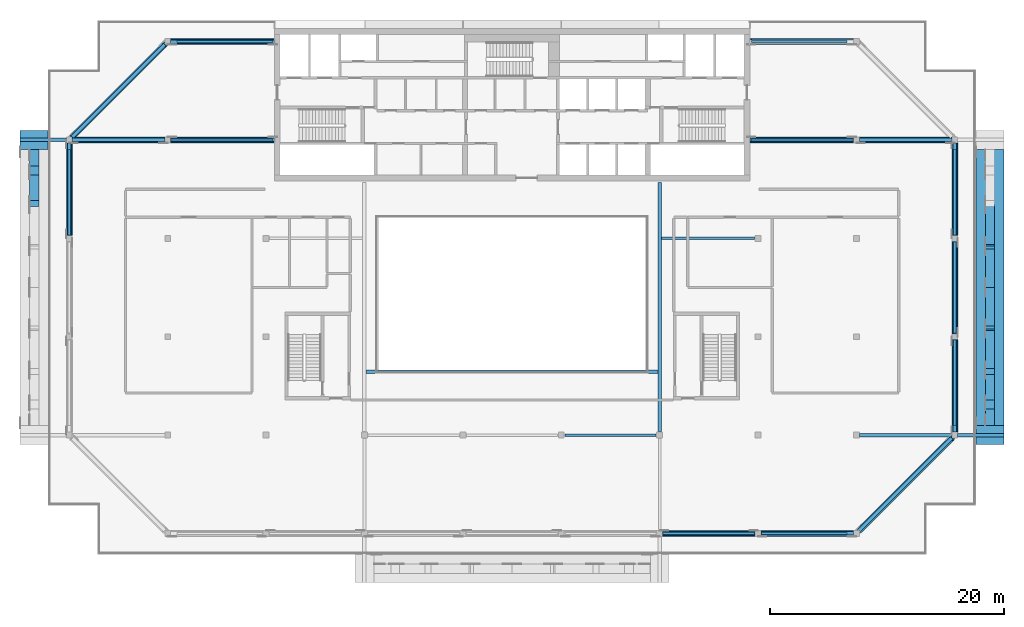
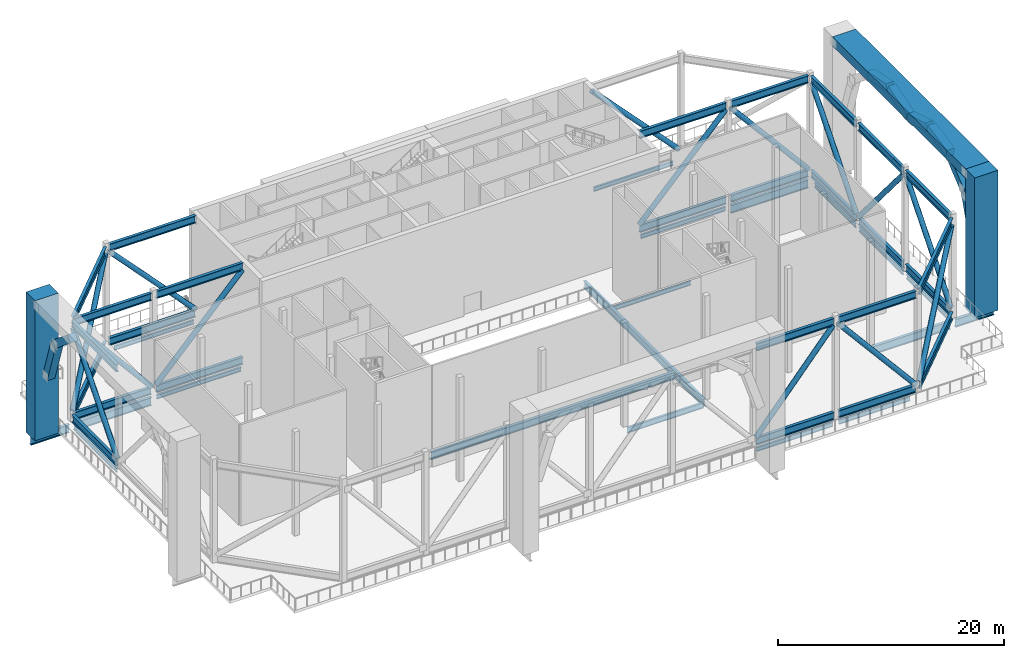
# One storey, part 2 of 20: 51 members, 19 beams.
"""IFC4 building model written with IfcOpenShell, lengths in metres."""

import ifcopenshell
import ifcopenshell.guid

model = None  # the IFC model being written
_history = None  # IfcOwnerHistory: only IFC2X3 demands one
_inside = {}  # id of a spatial element -> (the spatial element, [elements in it])
_under = {}  # id of a project, library or spatial element -> (it, [spatial elements below it])
_declared = {}  # id of a project -> (the project, [libraries it declares])
_typed = {}  # id of a type object -> (the type object, [elements of that type])
_made_of = {}  # id of a material, layer set ... -> (it, [elements and type objects made of it])


def new_model(schema):
    """Start an empty IFC model of exactly this schema.

    Asked for "IFC4X3", IfcOpenShell would pick the latest addendum, in which some entities
    have other attributes; the version numbers below select the first issue.
    IFC2X3 requires an IfcOwnerHistory on every rooted entity: one is made here for all.
    """
    global model, _history
    if schema == "IFC4X3":
        model = ifcopenshell.file(schema_version=(4, 3, 0, 0))
    else:
        model = ifcopenshell.file(schema=schema)
    _inside.clear()
    _under.clear()
    _declared.clear()
    _typed.clear()
    _made_of.clear()
    _history = None
    if model.schema == "IFC2X3":
        org = make("IfcOrganization", Name="unknown")
        user = make(
            "IfcPersonAndOrganization",
            ThePerson=make("IfcPerson", FamilyName="unknown"),
            TheOrganization=org,
        )
        app = make(
            "IfcApplication",
            ApplicationDeveloper=org,
            Version="unknown",
            ApplicationFullName="unknown",
            ApplicationIdentifier="unknown",
        )
        _history = make(
            "IfcOwnerHistory",
            OwningUser=user,
            OwningApplication=app,
            ChangeAction="ADDED",
            CreationDate=0,
        )
    return model


def make(cls, **values):
    """One entity of the class cls with the attributes given. An attribute that is None is left unset."""
    return model.create_entity(
        cls, **{name: value for name, value in values.items() if value is not None}
    )


def rooted(cls, **values):
    """An entity with a GlobalId (a new one), such as an element, a storey or a relation."""
    return make(cls, GlobalId=ifcopenshell.guid.new(), OwnerHistory=_history, **values)


def si_unit(unit_type, name, prefix=None):
    """IfcSIUnit, for example si_unit("LENGTHUNIT", "METRE", prefix="MILLI")."""
    return make("IfcSIUnit", UnitType=unit_type, Prefix=prefix, Name=name)


def assignment(units):
    """IfcUnitAssignment: the units of a project."""
    return None if units is None else make("IfcUnitAssignment", Units=units)


def point(xyz):
    """IfcCartesianPoint."""
    return None if xyz is None else make("IfcCartesianPoint", Coordinates=xyz)


def direction(xyz):
    """IfcDirection."""
    return None if xyz is None else make("IfcDirection", DirectionRatios=xyz)


def frame(location, z_axis=None, x_axis=None):
    """IfcAxis2Placement3D, a coordinate frame: its origin and axes. An axis left out is left unset."""
    return make(
        "IfcAxis2Placement3D",
        Location=point(location),
        Axis=direction(z_axis),
        RefDirection=direction(x_axis),
    )


def frame_2d(location, x_axis=None):
    """IfcAxis2Placement2D, a coordinate frame in the plane: its origin and x axis."""
    return make(
        "IfcAxis2Placement2D", Location=point(location), RefDirection=direction(x_axis)
    )


def origin():
    """The frame at (0, 0, 0) with its axes left unset."""
    return frame((0.0, 0.0, 0.0))


def origin_2d():
    """The frame at (0, 0) in the plane with its x axis left unset."""
    return frame_2d((0.0, 0.0))


def place(relative_to, where):
    """IfcLocalPlacement: puts the frame where relative to a parent placement (None: the world)."""
    return make(
        "IfcLocalPlacement", PlacementRelTo=relative_to, RelativePlacement=where
    )


def context(
    kind, dimensions, precision=None, world=None, true_north=None, identifier=None
):
    """IfcGeometricRepresentationContext, for example the 3D "Model" context."""
    return make(
        "IfcGeometricRepresentationContext",
        ContextIdentifier=identifier,
        ContextType=kind,
        CoordinateSpaceDimension=dimensions,
        Precision=precision,
        WorldCoordinateSystem=world,
        TrueNorth=true_north,
    )


def subcontext(parent, identifier, kind, view, scale=None):
    """IfcGeometricRepresentationSubContext, for example "Body" below "Model"."""
    return make(
        "IfcGeometricRepresentationSubContext",
        ContextIdentifier=identifier,
        ContextType=kind,
        ParentContext=parent,
        TargetScale=scale,
        TargetView=view,
    )


def project(units=None, contexts=None):
    """IfcProject with its units and contexts."""
    return rooted(
        "IfcProject",
        Name="project",
        RepresentationContexts=contexts,
        UnitsInContext=assignment(units),
    )


def spatial(cls, under=None, at=None, **own):
    """A site, building, storey or space (cls), placed at a placement, below another one or the project."""
    s = rooted(cls, ObjectPlacement=at, **own)
    if under is not None:
        _under.setdefault(under.id(), (under, []))[1].append(s)
    return s


def profile(cls, at=None, kind="AREA", **sizes):
    """A parametric profile (cls). Its sizes go by their IFC names, for example OverallWidth=200.0."""
    return make(cls, ProfileType=kind, Position=at, **sizes)


def rectangle(**sizes):
    """IfcRectangleProfileDef."""
    return profile("IfcRectangleProfileDef", **sizes)


def hollow_circle(**sizes):
    """IfcCircleHollowProfileDef."""
    return profile("IfcCircleHollowProfileDef", **sizes)


def i_section(**sizes):
    """IfcIShapeProfileDef."""
    return profile("IfcIShapeProfileDef", **sizes)


def extrude(swept, where, along, depth):
    """IfcExtrudedAreaSolid: the profile swept, set in the frame where, extruded along a direction by depth."""
    return make(
        "IfcExtrudedAreaSolid",
        SweptArea=swept,
        Position=where,
        ExtrudedDirection=direction(along),
        Depth=depth,
    )


def shape(context_of_items, identifier, shape_type, items):
    """IfcShapeRepresentation: the items that make up one representation, for example the "Body"."""
    return make(
        "IfcShapeRepresentation",
        ContextOfItems=context_of_items,
        RepresentationIdentifier=identifier,
        RepresentationType=shape_type,
        Items=items,
    )


def material(Name=None, Category=None):
    """IfcMaterial."""
    return make("IfcMaterial", Name=Name, Category=Category)


def material_profile(
    of_material, cross_section, Name=None, Category=None, Priority=None
):
    """IfcMaterialProfile: a cross section and its material."""
    return make(
        "IfcMaterialProfile",
        Name=Name,
        Material=of_material,
        Profile=cross_section,
        Priority=Priority,
        Category=Category,
    )


def profile_set(profiles, Name=None, composite=None):
    """IfcMaterialProfileSet."""
    return make(
        "IfcMaterialProfileSet",
        Name=Name,
        MaterialProfiles=profiles,
        CompositeProfile=composite,
    )


def made_of(thing, what):
    """Note that an element or type object is made of a material, layer set ...; save() writes the relation."""
    if what is not None:
        _made_of.setdefault(what.id(), (what, []))[1].append(thing)
    return thing


def type_object(cls, material=None, **own):
    """A type object (cls), such as IfcWallType, which elements share."""
    return made_of(rooted(cls, **own), material)


def element(
    cls,
    number,
    at=None,
    inside=None,
    cuts=None,
    type_object=None,
    material=None,
    context=None,
    identifier="Body",
    shape_type=None,
    held_by="IfcProductDefinitionShape",
    body=None,
    shapes=None,
    **own,
):
    """One element of the class cls, such as IfcWall. Its Tag is "e" and its number.

    at: its placement. inside: the storey or other place that contains it. cuts: it is an
    opening in that element (IfcRelVoidsElement). A single representation is given by context,
    identifier, shape_type and body (its items); several are given by shapes. held_by: the class
    of the entity that holds the representations. save() writes the other relations.
    """
    e = rooted(cls, Tag="e%d" % number, ObjectPlacement=at, **own)
    if body is not None:
        shapes = [shape(context, identifier, shape_type, body)]
    if shapes is not None:
        e.Representation = make(held_by, Representations=shapes)
    if inside is not None:
        _inside.setdefault(inside.id(), (inside, []))[1].append(e)
    if cuts is not None:
        rooted(
            "IfcRelVoidsElement", RelatingBuildingElement=cuts, RelatedOpeningElement=e
        )
    if type_object is not None:
        _typed.setdefault(type_object.id(), (type_object, []))[1].append(e)
    return made_of(e, material)


def aggregate(whole, parts):
    """IfcRelAggregates: a whole, such as a stair, and the parts it consists of."""
    return rooted("IfcRelAggregates", RelatingObject=whole, RelatedObjects=parts)


def save(model, path):
    """Write the relations noted so far, then the file.

    IfcRelAggregates (storeys below a building ...), IfcRelContainedInSpatialStructure (elements
    in a storey), IfcRelDefinesByType, IfcRelAssociatesMaterial and IfcRelDeclares: one each for
    every whole, place, type object, material and project.
    """
    for whole, parts in _under.values():
        aggregate(whole, parts)
    for where, things in _inside.values():
        rooted(
            "IfcRelContainedInSpatialStructure",
            RelatedElements=things,
            RelatingStructure=where,
        )
    for kind, things in _typed.values():
        rooted("IfcRelDefinesByType", RelatedObjects=things, RelatingType=kind)
    for what, things in _made_of.values():
        rooted("IfcRelAssociatesMaterial", RelatedObjects=things, RelatingMaterial=what)
    for by, libraries in _declared.values():
        rooted("IfcRelDeclares", RelatingContext=by, RelatedDefinitions=libraries)
    model.write(path)


model = new_model("IFC4")

# Units and contexts
model_context = context("Model", 3, precision=1e-05, world=origin(), true_north=direction((0.0, 1.0)))
body_context = subcontext(model_context, "Body", "Model", "MODEL_VIEW")
ifc_project = project(units=[si_unit("LENGTHUNIT", "METRE"), si_unit("AREAUNIT", "SQUARE_METRE"), si_unit("VOLUMEUNIT", "CUBIC_METRE"), si_unit("PLANEANGLEUNIT", "RADIAN"), si_unit("MASSUNIT", "GRAM", prefix="KILO")], contexts=[model_context])

# Site, building, storey
site_placement = place(None, origin())
site = spatial("IfcSite", under=ifc_project, at=site_placement, CompositionType="ELEMENT")
building_placement = place(site_placement, origin())
building = spatial("IfcBuilding", under=site, at=building_placement, Name="Saffron Gate Tower", CompositionType="ELEMENT")
storey_placement = place(building_placement, frame((0.0, 0.0, 252.300048828125)))
storey = spatial("IfcBuildingStorey", under=building, at=storey_placement, Name="L62", CompositionType="ELEMENT", Elevation=252.300048828125)

# Beams
ifc_material_1 = material(Name="Structural steel S355", Category="steel")
ifc_material_profile_1 = material_profile(ifc_material_1, i_section(OverallWidth=0.219970703125, OverallDepth=0.60009765625, WebThickness=0.011962890625, FlangeThickness=0.01904296875, FilletRadius=0.02392578125, at=origin_2d()))
ifc_profile_set_1 = profile_set([ifc_material_profile_1], Name="Structural steel S355")
beam_type_1 = type_object("IfcBeamType", Name="B15 IPE 600", PredefinedType="BEAM", material=ifc_profile_set_1)
beam_1_placement = place(storey_placement, frame((92.10009765625, 40.199951171875, -0.60009765625), z_axis=(1.0, 0.0, 0.0), x_axis=(0.0, 1.0, 0.0)))
element("IfcBeam", 1, at=beam_1_placement, inside=storey, type_object=beam_type_1, Name="B15 FLOOR GIRDER", PredefinedType="BEAM", context=body_context, shape_type="SweptSolid", body=[
    extrude(i_section(OverallWidth=0.219970703125, OverallDepth=0.60009765625, WebThickness=0.011962890625, FlangeThickness=0.01904296875, FilletRadius=0.02392578125, at=origin_2d()), origin(), (0.0, 0.0, 1.0), 7.7998046875),
])
ifc_material_profile_2 = material_profile(ifc_material_1, i_section(OverallWidth=0.300048828125, OverallDepth=0.7900390625, WebThickness=0.014892578125, FlangeThickness=0.028076171875, FilletRadius=0.030029296875, at=origin_2d()))
ifc_profile_set_2 = profile_set([ifc_material_profile_2], Name="Structural steel S355")
beam_type_2 = type_object("IfcBeamType", Name="B18 HEA 800", PredefinedType="BEAM", material=ifc_profile_set_2)
beam_2_placement = place(storey_placement, frame((100.199951171875, 40.5, -0.695068359375), z_axis=(0.0, 1.0, 0.0), x_axis=(-1.0, 0.0, 0.0)))
element("IfcBeam", 2, at=beam_2_placement, inside=storey, type_object=beam_type_2, Name="B18 ATRIUM GIRDER", PredefinedType="BEAM", context=body_context, shape_type="SweptSolid", body=[
    extrude(i_section(OverallWidth=0.300048828125, OverallDepth=0.7900390625, WebThickness=0.014892578125, FlangeThickness=0.028076171875, FilletRadius=0.030029296875, at=origin_2d()), origin(), (0.0, 0.0, 1.0), 21.25),
])
beam_3_placement = place(storey_placement, frame((75.14990234375, 45.60009765625, -0.695068359375), z_axis=(1.0, 0.0, 0.0), x_axis=(0.0, 1.0, 0.0)))
element("IfcBeam", 3, at=beam_3_placement, inside=storey, type_object=beam_type_2, Name="B18 ATRIUM GIRDER", PredefinedType="BEAM", context=body_context, shape_type="SweptSolid", body=[
    extrude(i_section(OverallWidth=0.300048828125, OverallDepth=0.7900390625, WebThickness=0.014892578125, FlangeThickness=0.028076171875, FilletRadius=0.030029296875, at=origin_2d()), origin(), (0.0, 0.0, 1.0), 24.900146484375),
])
ifc_material_profile_3 = material_profile(ifc_material_1, i_section(OverallWidth=0.18994140625, OverallDepth=0.449951171875, WebThickness=0.009521484375, FlangeThickness=0.0146484375, FilletRadius=0.02099609375, at=origin_2d()))
ifc_profile_set_3 = profile_set([ifc_material_profile_3], Name="Structural steel S355")
beam_type_3 = type_object("IfcBeamType", Name="B6 IPE 450", PredefinedType="BEAM", material=ifc_profile_set_3)
beam_4_placement = place(storey_placement, frame((108.300048828125, 57.0, -0.525146484375), z_axis=(-1.0, 0.0, 0.0), x_axis=(0.0, -1.0, 0.0)))
element("IfcBeam", 4, at=beam_4_placement, inside=storey, type_object=beam_type_3, Name="B6 CORE TIE BEAM", PredefinedType="BEAM", context=body_context, shape_type="SweptSolid", body=[
    extrude(i_section(OverallWidth=0.18994140625, OverallDepth=0.449951171875, WebThickness=0.009521484375, FlangeThickness=0.0146484375, FilletRadius=0.02099609375, at=origin_2d()), origin(), (0.0, 0.0, 1.0), 7.949951171875),
])
beam_5_placement = place(storey_placement, frame((58.5, 65.39990234375, -0.525146484375), z_axis=(1.0, 0.0, 0.0), x_axis=(0.0, 1.0, 0.0)))
element("IfcBeam", 5, at=beam_5_placement, inside=storey, type_object=beam_type_3, Name="B6 CORE TIE BEAM", PredefinedType="BEAM", context=body_context, shape_type="SweptSolid", body=[
    extrude(i_section(OverallWidth=0.18994140625, OverallDepth=0.449951171875, WebThickness=0.009521484375, FlangeThickness=0.0146484375, FilletRadius=0.02099609375, at=origin_2d()), origin(), (0.0, 0.0, 1.0), 8.64990234375),
])
beam_6_placement = place(storey_placement, frame((59.0, 73.800048828125, -0.525146484375), z_axis=(1.0, 0.0, 0.0), x_axis=(0.0, 1.0, 0.0)))
element("IfcBeam", 6, at=beam_6_placement, inside=storey, type_object=beam_type_3, Name="B6 CORE TIE BEAM", PredefinedType="BEAM", context=body_context, shape_type="SweptSolid", body=[
    extrude(i_section(OverallWidth=0.18994140625, OverallDepth=0.449951171875, WebThickness=0.009521484375, FlangeThickness=0.0146484375, FilletRadius=0.02099609375, at=origin_2d()), origin(), (0.0, 0.0, 1.0), 8.14990234375),
])
beam_7_placement = place(storey_placement, frame((116.699951171875, 65.39990234375, -0.525146484375), z_axis=(-1.0, 0.0, 0.0), x_axis=(0.0, -1.0, 0.0)))
element("IfcBeam", 7, at=beam_7_placement, inside=storey, type_object=beam_type_3, Name="B6 CORE TIE BEAM", PredefinedType="BEAM", context=body_context, shape_type="SweptSolid", body=[
    extrude(i_section(OverallWidth=0.18994140625, OverallDepth=0.449951171875, WebThickness=0.009521484375, FlangeThickness=0.0146484375, FilletRadius=0.02099609375, at=origin_2d()), origin(), (0.0, 0.0, 1.0), 8.64990234375),
])
beam_8_placement = place(storey_placement, frame((116.199951171875, 73.800048828125, -0.525146484375), z_axis=(-1.0, 0.0, 0.0), x_axis=(0.0, -1.0, 0.0)))
element("IfcBeam", 8, at=beam_8_placement, inside=storey, type_object=beam_type_3, Name="B6 CORE TIE BEAM", PredefinedType="BEAM", context=body_context, shape_type="SweptSolid", body=[
    extrude(i_section(OverallWidth=0.18994140625, OverallDepth=0.449951171875, WebThickness=0.009521484375, FlangeThickness=0.0146484375, FilletRadius=0.02099609375, at=origin_2d()), origin(), (0.0, 0.0, 1.0), 8.14990234375),
])
ifc_material_profile_4 = material_profile(ifc_material_1, i_section(OverallWidth=0.18994140625, OverallDepth=0.449951171875, WebThickness=0.009521484375, FlangeThickness=0.0146484375, FilletRadius=0.02099609375, at=origin_2d()))
ifc_profile_set_4 = profile_set([ifc_material_profile_4], Name="Structural steel S355")
beam_type_4 = type_object("IfcBeamType", Name="B7 IPE 450", PredefinedType="SPANDREL", material=ifc_profile_set_4)
beam_9_placement = place(storey_placement, frame((49.800048828125, 57.300048828125, -0.525146484375), z_axis=(0.0, 1.0, 0.0), x_axis=(-1.0, 0.0, 0.0)))
element("IfcBeam", 9, at=beam_9_placement, inside=storey, type_object=beam_type_4, Name="B7 SPANDREL BEAM", PredefinedType="SPANDREL", context=body_context, shape_type="SweptSolid", body=[
    extrude(i_section(OverallWidth=0.18994140625, OverallDepth=0.449951171875, WebThickness=0.009521484375, FlangeThickness=0.0146484375, FilletRadius=0.02099609375, at=origin_2d()), origin(), (0.0, 0.0, 1.0), 7.300048828125),
])
beam_10_placement = place(storey_placement, frame((100.5, 31.800048828125, -0.525146484375), z_axis=(1.0, 0.0, 0.0), x_axis=(0.0, 1.0, 0.0)))
element("IfcBeam", 10, at=beam_10_placement, inside=storey, type_object=beam_type_4, Name="B7 SPANDREL BEAM", PredefinedType="SPANDREL", context=body_context, shape_type="SweptSolid", body=[
    extrude(i_section(OverallWidth=0.18994140625, OverallDepth=0.449951171875, WebThickness=0.009521484375, FlangeThickness=0.0146484375, FilletRadius=0.02099609375, at=origin_2d()), origin(), (0.0, 0.0, 1.0), 7.800048828125),
])
for number, where, z_axis, x_axis, name in (
    (11, (108.89990234375, 31.800048828125, -0.525146484375), (1.0, 0.0, 0.0), (0.0, 1.0, 0.0), "B7 SPANDREL BEAM"),
    (12, (125.39990234375, 41.0, -0.525146484375), (0.0, 1.0, 0.0), (-1.0, 0.0, 0.0), "B7 SPANDREL BEAM"),
):
    element("IfcBeam", number, at=place(storey_placement, frame(where, z_axis=z_axis, x_axis=x_axis)), inside=storey, type_object=beam_type_4, Name=name, PredefinedType="SPANDREL", context=body_context, shape_type="SweptSolid", body=[
        extrude(i_section(OverallWidth=0.18994140625, OverallDepth=0.449951171875, WebThickness=0.009521484375, FlangeThickness=0.0146484375, FilletRadius=0.02099609375, at=origin_2d()), origin(), (0.0, 0.0, 1.0), 7.300048828125),
    ])
beam_11_placement = place(storey_placement, frame((125.39990234375, 48.89990234375, -0.525146484375), z_axis=(0.0, 1.0, 0.0), x_axis=(-1.0, 0.0, 0.0)))
element("IfcBeam", 13, at=beam_11_placement, inside=storey, type_object=beam_type_4, Name="B7 SPANDREL BEAM", PredefinedType="SPANDREL", context=body_context, shape_type="SweptSolid", body=[
    extrude(i_section(OverallWidth=0.18994140625, OverallDepth=0.449951171875, WebThickness=0.009521484375, FlangeThickness=0.0146484375, FilletRadius=0.02099609375, at=origin_2d()), origin(), (0.0, 0.0, 1.0), 7.800048828125),
])
beam_12_placement = place(storey_placement, frame((125.39990234375, 57.300048828125, -0.525146484375), z_axis=(0.0, 1.0, 0.0), x_axis=(-1.0, 0.0, 0.0)))
element("IfcBeam", 14, at=beam_12_placement, inside=storey, type_object=beam_type_4, Name="B7 SPANDREL BEAM", PredefinedType="SPANDREL", context=body_context, shape_type="SweptSolid", body=[
    extrude(i_section(OverallWidth=0.18994140625, OverallDepth=0.449951171875, WebThickness=0.009521484375, FlangeThickness=0.0146484375, FilletRadius=0.02099609375, at=origin_2d()), origin(), (0.0, 0.0, 1.0), 7.300048828125),
])

# Members
ifc_material_profile_5 = material_profile(ifc_material_1, i_section(OverallWidth=0.300048828125, OverallDepth=0.800048828125, WebThickness=0.017578125, FlangeThickness=0.032958984375, FilletRadius=0.030029296875, at=origin_2d()))
ifc_profile_set_5 = profile_set([ifc_material_profile_5], Name="Structural steel S355")
member_type_1 = type_object("IfcMemberType", Name="BT2 HEB 800", PredefinedType="CHORD", material=ifc_profile_set_5)
for number, where, z_axis, x_axis, name in (
    (15, (49.800048828125, 57.25, 10.570068359375), (0.0, 1.0, 0.0), (-1.0, 0.0, 0.0), "BT2 BELT TRUSS TOP CHORD"),
    (16, (49.800048828125, 57.25, 0.39990234375), (0.0, 1.0, 0.0), (-1.0, 0.0, 0.0), "BT2 BELT TRUSS BOTTOM CHORD"),
):
    element("IfcMember", number, at=place(storey_placement, frame(where, z_axis=z_axis, x_axis=x_axis)), inside=storey, type_object=member_type_1, Name=name, PredefinedType="CHORD", context=body_context, shape_type="SweptSolid", body=[
        extrude(i_section(OverallWidth=0.300048828125, OverallDepth=0.800048828125, WebThickness=0.017578125, FlangeThickness=0.032958984375, FilletRadius=0.030029296875, at=origin_2d()), origin(), (0.0, 0.0, 1.0), 7.89990234375),
    ])
for number, where, z_axis, x_axis, name in (
    (17, (100.449951171875, 31.800048828125, 10.570068359375), (1.0, 0.0, 0.0), (0.0, 1.0, 0.0), "BT2 BELT TRUSS TOP CHORD"),
    (18, (100.449951171875, 31.800048828125, 0.39990234375), (1.0, 0.0, 0.0), (0.0, 1.0, 0.0), "BT2 BELT TRUSS BOTTOM CHORD"),
):
    element("IfcMember", number, at=place(storey_placement, frame(where, z_axis=z_axis, x_axis=x_axis)), inside=storey, type_object=member_type_1, Name=name, PredefinedType="CHORD", context=body_context, shape_type="SweptSolid", body=[
        extrude(i_section(OverallWidth=0.300048828125, OverallDepth=0.800048828125, WebThickness=0.017578125, FlangeThickness=0.032958984375, FilletRadius=0.030029296875, at=origin_2d()), origin(), (0.0, 0.0, 1.0), 7.900146484375),
    ])
for number, where, z_axis, x_axis, name in (
    (19, (108.85009765625, 31.800048828125, 10.570068359375), (1.0, 0.0, 0.0), (0.0, 1.0, 0.0), "BT2 BELT TRUSS TOP CHORD"),
    (20, (108.85009765625, 31.800048828125, 0.39990234375), (1.0, 0.0, 0.0), (0.0, 1.0, 0.0), "BT2 BELT TRUSS BOTTOM CHORD"),
):
    element("IfcMember", number, at=place(storey_placement, frame(where, z_axis=z_axis, x_axis=x_axis)), inside=storey, type_object=member_type_1, Name=name, PredefinedType="CHORD", context=body_context, shape_type="SweptSolid", body=[
        extrude(i_section(OverallWidth=0.300048828125, OverallDepth=0.800048828125, WebThickness=0.017578125, FlangeThickness=0.032958984375, FilletRadius=0.030029296875, at=origin_2d()), origin(), (0.0, 0.0, 1.0), 7.89990234375),
    ])
for number, where, z_axis, x_axis, name in (
    (21, (125.39990234375, 40.449951171875, 10.570068359375), (0.0, 1.0, 0.0), (-1.0, 0.0, 0.0), "BT2 BELT TRUSS TOP CHORD"),
    (22, (125.39990234375, 40.449951171875, 0.39990234375), (0.0, 1.0, 0.0), (-1.0, 0.0, 0.0), "BT2 BELT TRUSS BOTTOM CHORD"),
):
    element("IfcMember", number, at=place(storey_placement, frame(where, z_axis=z_axis, x_axis=x_axis)), inside=storey, type_object=member_type_1, Name=name, PredefinedType="CHORD", context=body_context, shape_type="SweptSolid", body=[
        extrude(i_section(OverallWidth=0.300048828125, OverallDepth=0.800048828125, WebThickness=0.017578125, FlangeThickness=0.032958984375, FilletRadius=0.030029296875, at=origin_2d()), origin(), (0.0, 0.0, 1.0), 7.900146484375),
    ])
for number, where, z_axis, x_axis, name in (
    (23, (125.39990234375, 48.85009765625, 10.570068359375), (0.0, 1.0, 0.0), (-1.0, 0.0, 0.0), "BT2 BELT TRUSS TOP CHORD"),
    (24, (125.39990234375, 48.85009765625, 0.39990234375), (0.0, 1.0, 0.0), (-1.0, 0.0, 0.0), "BT2 BELT TRUSS BOTTOM CHORD"),
    (25, (125.39990234375, 57.25, 10.570068359375), (0.0, 1.0, 0.0), (-1.0, 0.0, 0.0), "BT2 BELT TRUSS TOP CHORD"),
    (26, (125.39990234375, 57.25, 0.39990234375), (0.0, 1.0, 0.0), (-1.0, 0.0, 0.0), "BT2 BELT TRUSS BOTTOM CHORD"),
):
    element("IfcMember", number, at=place(storey_placement, frame(where, z_axis=z_axis, x_axis=x_axis)), inside=storey, type_object=member_type_1, Name=name, PredefinedType="CHORD", context=body_context, shape_type="SweptSolid", body=[
        extrude(i_section(OverallWidth=0.300048828125, OverallDepth=0.800048828125, WebThickness=0.017578125, FlangeThickness=0.032958984375, FilletRadius=0.030029296875, at=origin_2d()), origin(), (0.0, 0.0, 1.0), 7.89990234375),
    ])
for number, where, z_axis, x_axis, name in (
    (27, (117.25, 32.050048828125, 10.570068359375), (0.707106781187, 0.707106781187, 0.0), (-0.707106781187, 0.707106781187, 0.0), "BT2 BELT TRUSS TOP CHORD"),
    (28, (117.25, 32.050048828125, 0.39990234375), (0.707106781187, 0.707106781187, 0.0), (-0.707106781187, 0.707106781187, 0.0), "BT2 BELT TRUSS BOTTOM CHORD"),
):
    element("IfcMember", number, at=place(storey_placement, frame(where, z_axis=z_axis, x_axis=x_axis)), inside=storey, type_object=member_type_1, Name=name, PredefinedType="CHORD", context=body_context, shape_type="SweptSolid", body=[
        extrude(i_section(OverallWidth=0.300048828125, OverallDepth=0.800048828125, WebThickness=0.017578125, FlangeThickness=0.032958984375, FilletRadius=0.030029296875, at=origin_2d()), origin(), (0.0, 0.0, 1.0), 11.172119140625),
    ])
for number, where, z_axis, x_axis, name in (
    (29, (57.949951171875, 73.550048828125, 10.570068359375), (-0.707095854966, -0.707117707239, 0.0), (0.707117707239, -0.707095854966, 0.0), "BT2 BELT TRUSS TOP CHORD"),
    (30, (57.949951171875, 73.550048828125, 0.39990234375), (-0.707095854966, -0.707117707239, 0.0), (0.707117707239, -0.707095854966, 0.0), "BT2 BELT TRUSS BOTTOM CHORD"),
):
    element("IfcMember", number, at=place(storey_placement, frame(where, z_axis=z_axis, x_axis=x_axis)), inside=storey, type_object=member_type_1, Name=name, PredefinedType="CHORD", context=body_context, shape_type="SweptSolid", body=[
        extrude(i_section(OverallWidth=0.300048828125, OverallDepth=0.800048828125, WebThickness=0.017578125, FlangeThickness=0.032958984375, FilletRadius=0.030029296875, at=origin_2d()), origin(), (0.0, 0.0, 1.0), 11.17236328125),
    ])
ifc_material_profile_6 = material_profile(ifc_material_1, hollow_circle(Radius=0.25390625, WallThickness=0.01611328125, at=origin_2d()))
ifc_profile_set_6 = profile_set([ifc_material_profile_6], Name="Structural steel S355")
member_type_2 = type_object("IfcMemberType", Name="BT5 CHS 508x16", PredefinedType="BRACE", material=ifc_profile_set_6)
member_1_placement = place(storey_placement, frame((49.800048828125, 57.25, 0.800048828125), z_axis=(0.0, 0.64458834869, 0.764529829852), x_axis=(-1.0, 0.0, 0.0)))
element("IfcMember", 31, at=member_1_placement, inside=storey, type_object=member_type_2, Name="BT5 BELT TRUSS DIAGONAL", PredefinedType="BRACE", context=body_context, shape_type="SweptSolid", body=[
    extrude(hollow_circle(Radius=0.25390625, WallThickness=0.01611328125, at=origin_2d()), origin(), (0.0, 0.0, 1.0), 12.255615234375),
])
member_2_placement = place(storey_placement, frame((100.449951171875, 31.800048828125, 0.800048828125), z_axis=(0.644599992129, 0.0, 0.764520012915), x_axis=(0.0, 1.0, 0.0)))
element("IfcMember", 32, at=member_2_placement, inside=storey, type_object=member_type_2, Name="BT5 BELT TRUSS DIAGONAL", PredefinedType="BRACE", context=body_context, shape_type="SweptSolid", body=[
    extrude(hollow_circle(Radius=0.25390625, WallThickness=0.01611328125, at=origin_2d()), origin(), (0.0, 0.0, 1.0), 12.255859375),
])
member_3_placement = place(storey_placement, frame((116.75, 31.800048828125, 0.800048828125), z_axis=(-0.64458834869, 0.0, 0.764529829852), x_axis=(0.0, -1.0, 0.0)))
element("IfcMember", 33, at=member_3_placement, inside=storey, type_object=member_type_2, Name="BT5 BELT TRUSS DIAGONAL", PredefinedType="BRACE", context=body_context, shape_type="SweptSolid", body=[
    extrude(hollow_circle(Radius=0.25390625, WallThickness=0.01611328125, at=origin_2d()), origin(), (0.0, 0.0, 1.0), 12.255615234375),
])
member_4_placement = place(storey_placement, frame((125.39990234375, 40.449951171875, 0.800048828125), z_axis=(0.0, 0.644599992129, 0.764520012915), x_axis=(-1.0, 0.0, 0.0)))
element("IfcMember", 34, at=member_4_placement, inside=storey, type_object=member_type_2, Name="BT5 BELT TRUSS DIAGONAL", PredefinedType="BRACE", context=body_context, shape_type="SweptSolid", body=[
    extrude(hollow_circle(Radius=0.25390625, WallThickness=0.01611328125, at=origin_2d()), origin(), (0.0, 0.0, 1.0), 12.255859375),
])
for number, where, z_axis, x_axis, name in (
    (35, (125.39990234375, 56.75, 0.800048828125), (0.0, -0.64458834869, 0.764529829852), (1.0, 0.0, 0.0), "BT5 BELT TRUSS DIAGONAL"),
    (36, (125.39990234375, 57.25, 0.800048828125), (0.0, 0.64458834869, 0.764529829852), (-1.0, 0.0, 0.0), "BT5 BELT TRUSS DIAGONAL"),
):
    element("IfcMember", number, at=place(storey_placement, frame(where, z_axis=z_axis, x_axis=x_axis)), inside=storey, type_object=member_type_2, Name=name, PredefinedType="BRACE", context=body_context, shape_type="SweptSolid", body=[
        extrude(hollow_circle(Radius=0.25390625, WallThickness=0.01611328125, at=origin_2d()), origin(), (0.0, 0.0, 1.0), 12.255615234375),
    ])
for number, where, z_axis, x_axis, name in (
    (37, (117.25, 32.050048828125, 0.800048828125), (0.541786792014, 0.541786792014, 0.642599520696), (-0.707106781187, 0.707106781187, 0.0), "BT5 BELT TRUSS DIAGONAL"),
    (38, (50.050048828125, 65.64990234375, 0.800048828125), (0.54178187723, 0.541798620598, 0.642593691397), (-0.707117707239, 0.707095854966, 0.0), "BT5 BELT TRUSS DIAGONAL"),
):
    element("IfcMember", number, at=place(storey_placement, frame(where, z_axis=z_axis, x_axis=x_axis)), inside=storey, type_object=member_type_2, Name=name, PredefinedType="BRACE", context=body_context, shape_type="SweptSolid", body=[
        extrude(hollow_circle(Radius=0.25390625, WallThickness=0.01611328125, at=origin_2d()), origin(), (0.0, 0.0, 1.0), 14.581298828125),
    ])
ifc_material_profile_7 = material_profile(ifc_material_1, i_section(OverallWidth=0.300048828125, OverallDepth=0.800048828125, WebThickness=0.017578125, FlangeThickness=0.032958984375, FilletRadius=0.030029296875, at=origin_2d()))
ifc_profile_set_7 = profile_set([ifc_material_profile_7], Name="Structural steel S355")
member_type_3 = type_object("IfcMemberType", Name="OT1 HEB 800", PredefinedType="CHORD", material=ifc_profile_set_7)
for number, where, z_axis, x_axis, name in (
    (39, (50.050048828125, 65.39990234375, 10.570068359375), (1.0, 0.0, 0.0), (0.0, 1.0, 0.0), "OT1 OUTRIGGER TOP CHORD"),
    (40, (50.050048828125, 65.39990234375, 0.39990234375), (1.0, 0.0, 0.0), (0.0, 1.0, 0.0), "OT1 OUTRIGGER BOTTOM CHORD"),
):
    element("IfcMember", number, at=place(storey_placement, frame(where, z_axis=z_axis, x_axis=x_axis)), inside=storey, type_object=member_type_3, Name=name, PredefinedType="CHORD", context=body_context, shape_type="SweptSolid", body=[
        extrude(i_section(OverallWidth=0.300048828125, OverallDepth=0.800048828125, WebThickness=0.017578125, FlangeThickness=0.032958984375, FilletRadius=0.030029296875, at=origin_2d()), origin(), (0.0, 0.0, 1.0), 7.89990234375),
    ])
for number, where, z_axis, x_axis, name in (
    (41, (58.449951171875, 65.39990234375, 10.570068359375), (1.0, 0.0, 0.0), (0.0, 1.0, 0.0), "OT1 OUTRIGGER TOP CHORD"),
    (42, (58.449951171875, 65.39990234375, 0.39990234375), (1.0, 0.0, 0.0), (0.0, 1.0, 0.0), "OT1 OUTRIGGER BOTTOM CHORD"),
    (43, (58.449951171875, 73.800048828125, 10.570068359375), (1.0, 0.0, 0.0), (0.0, 1.0, 0.0), "OT1 OUTRIGGER TOP CHORD"),
    (44, (58.449951171875, 73.800048828125, 0.39990234375), (1.0, 0.0, 0.0), (0.0, 1.0, 0.0), "OT1 OUTRIGGER BOTTOM CHORD"),
):
    element("IfcMember", number, at=place(storey_placement, frame(where, z_axis=z_axis, x_axis=x_axis)), inside=storey, type_object=member_type_3, Name=name, PredefinedType="CHORD", context=body_context, shape_type="SweptSolid", body=[
        extrude(i_section(OverallWidth=0.300048828125, OverallDepth=0.800048828125, WebThickness=0.017578125, FlangeThickness=0.032958984375, FilletRadius=0.030029296875, at=origin_2d()), origin(), (0.0, 0.0, 1.0), 8.85009765625),
    ])
for number, where, z_axis, x_axis, name in (
    (45, (125.14990234375, 65.39990234375, 10.570068359375), (-1.0, 0.0, 0.0), (0.0, -1.0, 0.0), "OT1 OUTRIGGER TOP CHORD"),
    (46, (125.14990234375, 65.39990234375, 0.39990234375), (-1.0, 0.0, 0.0), (0.0, -1.0, 0.0), "OT1 OUTRIGGER BOTTOM CHORD"),
):
    element("IfcMember", number, at=place(storey_placement, frame(where, z_axis=z_axis, x_axis=x_axis)), inside=storey, type_object=member_type_3, Name=name, PredefinedType="CHORD", context=body_context, shape_type="SweptSolid", body=[
        extrude(i_section(OverallWidth=0.300048828125, OverallDepth=0.800048828125, WebThickness=0.017578125, FlangeThickness=0.032958984375, FilletRadius=0.030029296875, at=origin_2d()), origin(), (0.0, 0.0, 1.0), 7.89990234375),
    ])
for number, where, z_axis, x_axis, name in (
    (47, (116.75, 65.39990234375, 10.570068359375), (-1.0, 0.0, 0.0), (0.0, -1.0, 0.0), "OT1 OUTRIGGER TOP CHORD"),
    (48, (116.75, 65.39990234375, 0.39990234375), (-1.0, 0.0, 0.0), (0.0, -1.0, 0.0), "OT1 OUTRIGGER BOTTOM CHORD"),
):
    element("IfcMember", number, at=place(storey_placement, frame(where, z_axis=z_axis, x_axis=x_axis)), inside=storey, type_object=member_type_3, Name=name, PredefinedType="CHORD", context=body_context, shape_type="SweptSolid", body=[
        extrude(i_section(OverallWidth=0.300048828125, OverallDepth=0.800048828125, WebThickness=0.017578125, FlangeThickness=0.032958984375, FilletRadius=0.030029296875, at=origin_2d()), origin(), (0.0, 0.0, 1.0), 8.85009765625),
    ])
ifc_material_profile_8 = material_profile(ifc_material_1, hollow_circle(Radius=0.25390625, WallThickness=0.01611328125, at=origin_2d()))
ifc_profile_set_8 = profile_set([ifc_material_profile_8], Name="Structural steel S355")
member_type_4 = type_object("IfcMemberType", Name="OT4 CHS 508x16", PredefinedType="BRACE", material=ifc_profile_set_8)
member_5_placement = place(storey_placement, frame((57.949951171875, 65.39990234375, 0.800048828125), z_axis=(-0.64458834869, 0.0, 0.764529829852), x_axis=(0.0, -1.0, 0.0)))
element("IfcMember", 49, at=member_5_placement, inside=storey, type_object=member_type_4, Name="OT4 OUTRIGGER DIAGONAL", PredefinedType="BRACE", context=body_context, shape_type="SweptSolid", body=[
    extrude(hollow_circle(Radius=0.25390625, WallThickness=0.01611328125, at=origin_2d()), origin(), (0.0, 0.0, 1.0), 12.255615234375),
])
for number, where, z_axis, x_axis, name in (
    (50, (58.449951171875, 65.39990234375, 0.800048828125), (0.68665523657, 0.0, 0.726983208947), (0.0, 1.0, 0.0), "OT4 OUTRIGGER DIAGONAL"),
    (51, (67.300048828125, 73.800048828125, 0.800048828125), (-0.68665523657, 0.0, 0.726983208947), (0.0, -1.0, 0.0), "OT4 OUTRIGGER DIAGONAL"),
):
    element("IfcMember", number, at=place(storey_placement, frame(where, z_axis=z_axis, x_axis=x_axis)), inside=storey, type_object=member_type_4, Name=name, PredefinedType="BRACE", context=body_context, shape_type="SweptSolid", body=[
        extrude(hollow_circle(Radius=0.25390625, WallThickness=0.01611328125, at=origin_2d()), origin(), (0.0, 0.0, 1.0), 12.888671875),
    ])
member_6_placement = place(storey_placement, frame((125.14990234375, 65.39990234375, 0.800048828125), z_axis=(-0.64458834869, 0.0, 0.764529829852), x_axis=(0.0, -1.0, 0.0)))
element("IfcMember", 52, at=member_6_placement, inside=storey, type_object=member_type_4, Name="OT4 OUTRIGGER DIAGONAL", PredefinedType="BRACE", context=body_context, shape_type="SweptSolid", body=[
    extrude(hollow_circle(Radius=0.25390625, WallThickness=0.01611328125, at=origin_2d()), origin(), (0.0, 0.0, 1.0), 12.255615234375),
])
for number, where, z_axis, x_axis, name in (
    (53, (107.89990234375, 65.39990234375, 0.800048828125), (0.68665523657, 0.0, 0.726983208947), (0.0, 1.0, 0.0), "OT4 OUTRIGGER DIAGONAL"),
    (54, (116.75, 73.800048828125, 0.800048828125), (-0.68665523657, 0.0, 0.726983208947), (0.0, -1.0, 0.0), "OT4 OUTRIGGER DIAGONAL"),
):
    element("IfcMember", number, at=place(storey_placement, frame(where, z_axis=z_axis, x_axis=x_axis)), inside=storey, type_object=member_type_4, Name=name, PredefinedType="BRACE", context=body_context, shape_type="SweptSolid", body=[
        extrude(hollow_circle(Radius=0.25390625, WallThickness=0.01611328125, at=origin_2d()), origin(), (0.0, 0.0, 1.0), 12.888671875),
    ])
ifc_material_2 = material(Name="Concrete C60", Category="concrete")
ifc_material_profile_9 = material_profile(ifc_material_2, rectangle(XDim=0.800048828125, YDim=0.800048828125, at=origin_2d()))
ifc_profile_set_9 = profile_set([ifc_material_profile_9], Name="Concrete C60")
member_type_5 = type_object("IfcMemberType", Name="PA1 RC 800x800", PredefinedType="BRACE", material=ifc_profile_set_9)
member_7_placement = place(storey_placement, frame((128.39990234375, 41.39990234375, 6.517333984375), z_axis=(0.0, 0.311866101482, 0.950126062555), x_axis=(-1.0, 0.0, 0.0)))
element("IfcMember", 55, at=member_7_placement, inside=storey, type_object=member_type_5, Name="PA1 PISHTAQ ARCH", PredefinedType="BRACE", context=body_context, shape_type="SweptSolid", body=[
    extrude(rectangle(XDim=0.800048828125, YDim=0.800048828125, at=origin_2d()), origin(), (0.0, 0.0, 1.0), 4.571044921875),
])
member_8_placement = place(storey_placement, frame((128.39990234375, 42.95068359375, 11.044189453125), z_axis=(0.0, 0.771329894849, 0.636435537436), x_axis=(-1.0, 0.0, 0.0)))
element("IfcMember", 56, at=member_8_placement, inside=storey, type_object=member_type_5, Name="PA1 PISHTAQ ARCH", PredefinedType="BRACE", context=body_context, shape_type="SweptSolid", body=[
    extrude(rectangle(XDim=0.800048828125, YDim=0.800048828125, at=origin_2d()), origin(), (0.0, 0.0, 1.0), 3.453125),
])
member_9_placement = place(storey_placement, frame((128.39990234375, 45.79052734375, 13.32568359375), z_axis=(0.0, 0.98073469826, 0.195344443559), x_axis=(-1.0, 0.0, 0.0)))
element("IfcMember", 57, at=member_9_placement, inside=storey, type_object=member_type_5, Name="PA1 PISHTAQ ARCH", PredefinedType="BRACE", context=body_context, shape_type="SweptSolid", body=[
    extrude(rectangle(XDim=0.800048828125, YDim=0.800048828125, at=origin_2d()), origin(), (0.0, 0.0, 1.0), 3.46826171875),
])
for number, where, z_axis, x_axis, name in (
    (58, (128.39990234375, 49.38720703125, 13.993408203125), (0.0, 0.956311969023, -0.292348110826), (-1.0, 0.0, 0.0), "PA1 PISHTAQ ARCH"),
    (59, (128.39990234375, 52.9169921875, 12.98583984375), (0.0, 0.956311969023, 0.292348110826), (-1.0, 0.0, 0.0), "PA1 PISHTAQ ARCH"),
):
    element("IfcMember", number, at=place(storey_placement, frame(where, z_axis=z_axis, x_axis=x_axis)), inside=storey, type_object=member_type_5, Name=name, PredefinedType="BRACE", context=body_context, shape_type="SweptSolid", body=[
        extrude(rectangle(XDim=0.800048828125, YDim=0.800048828125, at=origin_2d()), origin(), (0.0, 0.0, 1.0), 3.446533203125),
    ])
member_10_placement = place(storey_placement, frame((128.39990234375, 56.407958984375, 14.003173828125), z_axis=(0.0, 0.98073469826, -0.195344443559), x_axis=(-1.0, 0.0, 0.0)))
element("IfcMember", 60, at=member_10_placement, inside=storey, type_object=member_type_5, Name="PA1 PISHTAQ ARCH", PredefinedType="BRACE", context=body_context, shape_type="SweptSolid", body=[
    extrude(rectangle(XDim=0.800048828125, YDim=0.800048828125, at=origin_2d()), origin(), (0.0, 0.0, 1.0), 3.46826171875),
])
member_11_placement = place(storey_placement, frame((46.800048828125, 59.98583984375, 13.241943359375), z_axis=(0.0, 0.771301255722, -0.636470245119), x_axis=(-1.0, 0.0, 0.0)))
element("IfcMember", 61, at=member_11_placement, inside=storey, type_object=member_type_5, Name="PA1 PISHTAQ ARCH", PredefinedType="BRACE", context=body_context, shape_type="SweptSolid", body=[
    extrude(rectangle(XDim=0.800048828125, YDim=0.800048828125, at=origin_2d()), origin(), (0.0, 0.0, 1.0), 3.453125),
])
member_12_placement = place(storey_placement, frame((46.800048828125, 62.774658203125, 10.8603515625), z_axis=(0.0, 0.311817884168, -0.950141887885), x_axis=(-1.0, 0.0, 0.0)))
element("IfcMember", 62, at=member_12_placement, inside=storey, type_object=member_type_5, Name="PA1 PISHTAQ ARCH", PredefinedType="BRACE", context=body_context, shape_type="SweptSolid", body=[
    extrude(rectangle(XDim=0.800048828125, YDim=0.800048828125, at=origin_2d()), origin(), (0.0, 0.0, 1.0), 4.57080078125),
])
ifc_material_profile_10 = material_profile(ifc_material_2, rectangle(XDim=2.39990234375, YDim=1.0, at=origin_2d()))
ifc_profile_set_10 = profile_set([ifc_material_profile_10], Name="Concrete C60")
member_type_6 = type_object("IfcMemberType", Name="PK1 RC 2400x1000", PredefinedType="BRACE", material=ifc_profile_set_10)
member_13_placement = place(storey_placement, frame((128.39990234375, 41.0, 14.349853515625), z_axis=(0.0, 1.0, 0.0), x_axis=(-1.0, 0.0, 0.0)))
element("IfcMember", 63, at=member_13_placement, inside=storey, type_object=member_type_6, Name="PK1 PISHTAQ CAP BEAM", PredefinedType="BRACE", context=body_context, shape_type="SweptSolid", body=[
    extrude(rectangle(XDim=2.39990234375, YDim=1.0, at=origin_2d()), origin(), (0.0, 0.0, 1.0), 23.60009765625),
])
ifc_material_profile_11 = material_profile(ifc_material_2, rectangle(XDim=2.39990234375, YDim=1.60009765625, at=origin_2d()))
ifc_profile_set_11 = profile_set([ifc_material_profile_11], Name="Concrete C60")
member_type_7 = type_object("IfcMemberType", Name="PP1 RC 2400x1600", PredefinedType="POST", material=ifc_profile_set_11)
for number, where, z_axis, x_axis, name in (
    (64, (128.39990234375, 40.199951171875, -0.300048828125), (0.0, 0.0, 1.0), (1.0, 0.0, 0.0), "PP1 PISHTAQ PIER"),
    (65, (46.800048828125, 65.39990234375, -0.300048828125), (0.0, 0.0, 1.0), (1.0, 0.0, 0.0), "PP1 PISHTAQ PIER"),
):
    element("IfcMember", number, at=place(storey_placement, frame(where, z_axis=z_axis, x_axis=x_axis)), inside=storey, type_object=member_type_7, Name=name, PredefinedType="POST", context=body_context, shape_type="SweptSolid", body=[
        extrude(rectangle(XDim=2.39990234375, YDim=1.60009765625, at=origin_2d()), origin(), (0.0, 0.0, 1.0), 15.14990234375),
    ])

# Beams
ifc_material_profile_12 = material_profile(ifc_material_1, i_section(OverallWidth=0.300048828125, OverallDepth=0.889892578125, WebThickness=0.01611328125, FlangeThickness=0.030029296875, FilletRadius=0.030029296875, at=origin_2d()))
ifc_profile_set_12 = profile_set([ifc_material_profile_12], Name="Structural steel S355")
beam_type_5 = type_object("IfcBeamType", Name="PQ1 HEA 900", PredefinedType="BEAM", material=ifc_profile_set_12)
beam_13_placement = place(storey_placement, frame((129.60009765625, 40.199951171875, -0.7451171875), z_axis=(-1.0, 0.0, 0.0), x_axis=(0.0, -1.0, 0.0)))
element("IfcBeam", 66, at=beam_13_placement, inside=storey, type_object=beam_type_5, Name="PQ1 PISHTAQ PIER BEAM", PredefinedType="BEAM", context=body_context, shape_type="SweptSolid", body=[
    extrude(i_section(OverallWidth=0.300048828125, OverallDepth=0.889892578125, WebThickness=0.01611328125, FlangeThickness=0.030029296875, FilletRadius=0.030029296875, at=origin_2d()), origin(), (0.0, 0.0, 1.0), 3.9501953125),
])
for number, where, z_axis, x_axis, name in (
    (67, (125.14990234375, 40.199951171875, -0.7451171875), (-1.0, 0.0, 0.0), (0.0, -1.0, 0.0), "PQ1 PISHTAQ PIER BEAM"),
    (68, (125.14990234375, 65.39990234375, -0.7451171875), (-1.0, 0.0, 0.0), (0.0, -1.0, 0.0), "PQ1 PISHTAQ PIER BEAM"),
):
    element("IfcBeam", number, at=place(storey_placement, frame(where, z_axis=z_axis, x_axis=x_axis)), inside=storey, type_object=beam_type_5, Name=name, PredefinedType="BEAM", context=body_context, shape_type="SweptSolid", body=[
        extrude(i_section(OverallWidth=0.300048828125, OverallDepth=0.889892578125, WebThickness=0.01611328125, FlangeThickness=0.030029296875, FilletRadius=0.030029296875, at=origin_2d()), origin(), (0.0, 0.0, 1.0), 7.89990234375),
    ])
beam_14_placement = place(storey_placement, frame((45.60009765625, 65.39990234375, -0.7451171875), z_axis=(1.0, 0.0, 0.0), x_axis=(0.0, 1.0, 0.0)))
element("IfcBeam", 69, at=beam_14_placement, inside=storey, type_object=beam_type_5, Name="PQ1 PISHTAQ PIER BEAM", PredefinedType="BEAM", context=body_context, shape_type="SweptSolid", body=[
    extrude(i_section(OverallWidth=0.300048828125, OverallDepth=0.889892578125, WebThickness=0.01611328125, FlangeThickness=0.030029296875, FilletRadius=0.030029296875, at=origin_2d()), origin(), (0.0, 0.0, 1.0), 3.949951171875),
])
beam_15_placement = place(storey_placement, frame((50.050048828125, 65.39990234375, -0.7451171875), z_axis=(1.0, 0.0, 0.0), x_axis=(0.0, 1.0, 0.0)))
element("IfcBeam", 70, at=beam_15_placement, inside=storey, type_object=beam_type_5, Name="PQ1 PISHTAQ PIER BEAM", PredefinedType="BEAM", context=body_context, shape_type="SweptSolid", body=[
    extrude(i_section(OverallWidth=0.300048828125, OverallDepth=0.889892578125, WebThickness=0.01611328125, FlangeThickness=0.030029296875, FilletRadius=0.030029296875, at=origin_2d()), origin(), (0.0, 0.0, 1.0), 7.89990234375),
])

save(model, "model.ifc")
